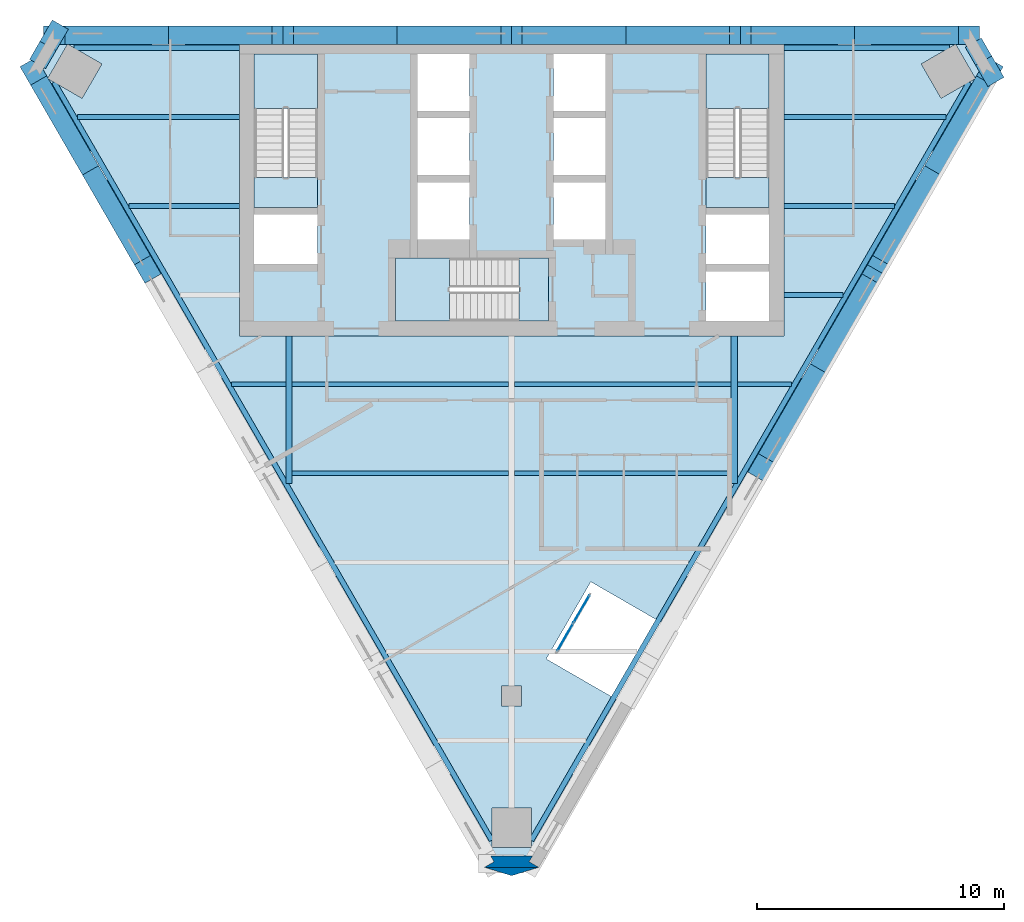
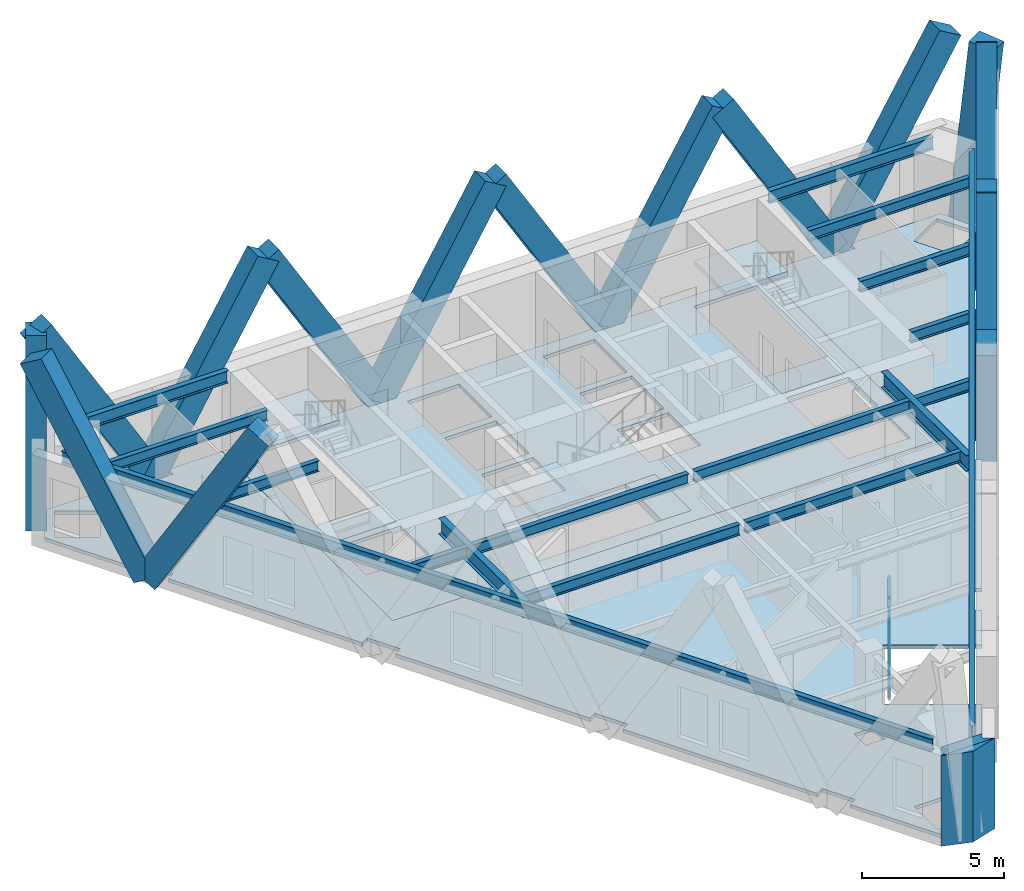
# One storey, part 3 of 9: 17 beams, 16 members, 8 slabs, 4 plates, 2 walls, 4 elements without a shape of their own.
"""IFC4 building model written with IfcOpenShell, lengths in metres."""

from ifc_helpers import new_model, si_unit, direction, frame, origin, origin_2d, place, context, subcontext, project, spatial, polyline, rectangle, i_section, outline, extrude, material, layer, layer_set, material_profile, profile_set, type_object, element, aggregate, save


model = new_model("IFC4")

# Units and contexts
model_context = context("Model", 3, precision=1e-05, world=origin(), true_north=direction((0.0, 1.0)))
body_context = subcontext(model_context, "Body", "Model", "MODEL_VIEW")
ifc_project = project(units=[si_unit("LENGTHUNIT", "METRE"), si_unit("AREAUNIT", "SQUARE_METRE"), si_unit("VOLUMEUNIT", "CUBIC_METRE"), si_unit("PLANEANGLEUNIT", "RADIAN"), si_unit("MASSUNIT", "GRAM", prefix="KILO")], contexts=[model_context])

# Site, building, storey
site_placement = place(None, origin())
site = spatial("IfcSite", under=ifc_project, at=site_placement, CompositionType="ELEMENT")
building_placement = place(site_placement, origin())
building = spatial("IfcBuilding", under=site, at=building_placement, Name="Aloe Facet Convention Tower", CompositionType="ELEMENT")
storey_placement = place(building_placement, frame((0.0, 0.0, 277.699951171875)))
storey = spatial("IfcBuildingStorey", under=building, at=storey_placement, Name="L68", CompositionType="ELEMENT", Elevation=277.699951171875)

# Beams
ifc_material_1 = material(Name="Steel S355", Category="steel")
ifc_material_profile_1 = material_profile(ifc_material_1, i_section(OverallWidth=0.19140625, OverallDepth=0.4599609375, WebThickness=0.010009765625, FlangeThickness=0.01611328125, FilletRadius=0.01025390625, at=origin_2d()), Name="UB 457x191x82")
ifc_profile_set_1 = profile_set([ifc_material_profile_1], Name="Steel S355")
beam_type_1 = type_object("IfcBeamType", Name="SF-B-UB457x191x82", PredefinedType="BEAM", material=ifc_profile_set_1)
beam_1_placement = place(storey_placement, frame((62.452392578125, 131.39990234375, 3.52001953125), z_axis=(1.0, 0.0, 0.0), x_axis=(0.0, 1.0, 0.0)))
element("IfcBeam", 1, at=beam_1_placement, inside=storey, type_object=beam_type_1, Name="Floor beam FB-Z5B-009", PredefinedType="BEAM", context=body_context, shape_type="SweptSolid", body=[
    extrude(i_section(OverallWidth=0.19140625, OverallDepth=0.4599609375, WebThickness=0.010009765625, FlangeThickness=0.01611328125, FilletRadius=0.01025390625, at=origin_2d()), origin(), (0.0, 0.0, 1.0), 6.547607421875),
])
beam_2_placement = place(storey_placement, frame((64.53076171875, 127.800048828125, 3.52001953125), z_axis=(1.0, 0.0, 0.0), x_axis=(0.0, 1.0, 0.0)))
element("IfcBeam", 2, at=beam_2_placement, inside=storey, type_object=beam_type_1, Name="Floor beam FB-Z5B-010", PredefinedType="BEAM", context=body_context, shape_type="SweptSolid", body=[
    extrude(i_section(OverallWidth=0.19140625, OverallDepth=0.4599609375, WebThickness=0.010009765625, FlangeThickness=0.01611328125, FilletRadius=0.01025390625, at=origin_2d()), origin(), (0.0, 0.0, 1.0), 4.46923828125),
])
beam_3_placement = place(storey_placement, frame((68.687744140625, 120.60009765625, 3.52001953125), z_axis=(1.0, 0.0, 0.0), x_axis=(0.0, 1.0, 0.0)))
element("IfcBeam", 3, at=beam_3_placement, inside=storey, type_object=beam_type_1, Name="Floor beam FB-Z5B-012", PredefinedType="BEAM", context=body_context, shape_type="SweptSolid", body=[
    extrude(i_section(OverallWidth=0.19140625, OverallDepth=0.4599609375, WebThickness=0.010009765625, FlangeThickness=0.01611328125, FilletRadius=0.01025390625, at=origin_2d()), origin(), (0.0, 0.0, 1.0), 2.185791015625),
])
for number, where, z_axis, x_axis, name in (
    (4, (71.12646484375, 117.0, 3.52001953125), (1.0, 0.0, 0.0), (0.0, 1.0, 0.0), "Floor beam FB-Z5B-013"),
    (5, (71.12646484375, 120.60009765625, 3.52001953125), (1.0, 0.0, 0.0), (0.0, 1.0, 0.0), "Floor beam FB-Z5B-014"),
    (6, (80.12646484375, 117.0, 3.52001953125), (1.0, 0.0, 0.0), (0.0, 1.0, 0.0), "Floor beam FB-Z5B-021"),
    (7, (80.12646484375, 120.60009765625, 3.52001953125), (1.0, 0.0, 0.0), (0.0, 1.0, 0.0), "Floor beam FB-Z5B-022"),
):
    element("IfcBeam", number, at=place(storey_placement, frame(where, z_axis=z_axis, x_axis=x_axis)), inside=storey, type_object=beam_type_1, Name=name, PredefinedType="BEAM", context=body_context, shape_type="SweptSolid", body=[
        extrude(i_section(OverallWidth=0.19140625, OverallDepth=0.4599609375, WebThickness=0.010009765625, FlangeThickness=0.01611328125, FilletRadius=0.01025390625, at=origin_2d()), origin(), (0.0, 0.0, 1.0), 8.7470703125),
    ])
beam_4_placement = place(storey_placement, frame((89.12646484375, 120.60009765625, 3.52001953125), z_axis=(1.0, 0.0, 0.0), x_axis=(0.0, 1.0, 0.0)))
element("IfcBeam", 8, at=beam_4_placement, inside=storey, type_object=beam_type_1, Name="Floor beam FB-Z5B-023", PredefinedType="BEAM", context=body_context, shape_type="SweptSolid", body=[
    extrude(i_section(OverallWidth=0.19140625, OverallDepth=0.4599609375, WebThickness=0.010009765625, FlangeThickness=0.01611328125, FilletRadius=0.01025390625, at=origin_2d()), origin(), (0.0, 0.0, 1.0), 2.185791015625),
])
beam_5_placement = place(storey_placement, frame((91.0, 124.199951171875, 3.52001953125), z_axis=(1.0, 0.0, 0.0), x_axis=(0.0, 1.0, 0.0)))
element("IfcBeam", 9, at=beam_5_placement, inside=storey, type_object=beam_type_1, Name="Floor beam FB-Z5B-024", PredefinedType="BEAM", context=body_context, shape_type="SweptSolid", body=[
    extrude(i_section(OverallWidth=0.19140625, OverallDepth=0.4599609375, WebThickness=0.010009765625, FlangeThickness=0.01611328125, FilletRadius=0.01025390625, at=origin_2d()), origin(), (0.0, 0.0, 1.0), 2.390869140625),
])
beam_6_placement = place(storey_placement, frame((91.0, 127.800048828125, 3.52001953125), z_axis=(1.0, 0.0, 0.0), x_axis=(0.0, 1.0, 0.0)))
element("IfcBeam", 10, at=beam_6_placement, inside=storey, type_object=beam_type_1, Name="Floor beam FB-Z5B-025", PredefinedType="BEAM", context=body_context, shape_type="SweptSolid", body=[
    extrude(i_section(OverallWidth=0.19140625, OverallDepth=0.4599609375, WebThickness=0.010009765625, FlangeThickness=0.01611328125, FilletRadius=0.01025390625, at=origin_2d()), origin(), (0.0, 0.0, 1.0), 4.46923828125),
])
beam_7_placement = place(storey_placement, frame((91.0, 131.39990234375, 3.52001953125), z_axis=(1.0, 0.0, 0.0), x_axis=(0.0, 1.0, 0.0)))
element("IfcBeam", 11, at=beam_7_placement, inside=storey, type_object=beam_type_1, Name="Floor beam FB-Z5B-026", PredefinedType="BEAM", context=body_context, shape_type="SweptSolid", body=[
    extrude(i_section(OverallWidth=0.19140625, OverallDepth=0.4599609375, WebThickness=0.010009765625, FlangeThickness=0.01611328125, FilletRadius=0.01025390625, at=origin_2d()), origin(), (0.0, 0.0, 1.0), 6.547607421875),
])
ifc_material_2 = material(Name="Steel S355", Category="steel")
ifc_material_profile_2 = material_profile(ifc_material_2, i_section(OverallWidth=0.209228515625, OverallDepth=0.533203125, WebThickness=0.010009765625, FlangeThickness=0.015625, FilletRadius=0.0126953125, at=origin_2d()), Name="UB 533x210x92")
ifc_profile_set_2 = profile_set([ifc_material_profile_2], Name="Steel S355")
beam_type_2 = type_object("IfcBeamType", Name="SF-B-UB533x210x92", PredefinedType="BEAM", material=ifc_profile_set_2)
beam_8_placement = place(storey_placement, frame((62.3076171875, 134.1953125, 3.483642578125), z_axis=(1.0, 0.0, 0.0), x_axis=(0.0, 1.0, 0.0)))
element("IfcBeam", 12, at=beam_8_placement, inside=storey, type_object=beam_type_2, Name="Floor beam FB-Z5B-001", PredefinedType="BEAM", context=body_context, shape_type="SweptSolid", body=[
    extrude(i_section(OverallWidth=0.209228515625, OverallDepth=0.533203125, WebThickness=0.010009765625, FlangeThickness=0.015625, FilletRadius=0.0126953125, at=origin_2d()), origin(), (0.0, 0.0, 1.0), 6.6923828125),
])
beam_9_placement = place(storey_placement, frame((79.199951171875, 102.16552734375, 3.483642578125), z_axis=(-0.499997782969, 0.866026683784, 0.0), x_axis=(-0.866026683784, -0.499997782969, 0.0)))
element("IfcBeam", 13, at=beam_9_placement, inside=storey, type_object=beam_type_2, Name="Floor beam FB-Z5B-002", PredefinedType="BEAM", context=body_context, shape_type="SweptSolid", body=[
    extrude(i_section(OverallWidth=0.209228515625, OverallDepth=0.533203125, WebThickness=0.010009765625, FlangeThickness=0.015625, FilletRadius=0.0126953125, at=origin_2d()), origin(), (0.0, 0.0, 1.0), 35.385009765625),
])
beam_10_placement = place(storey_placement, frame((91.0, 134.1953125, 3.483642578125), z_axis=(1.0, 0.0, 0.0), x_axis=(0.0, 1.0, 0.0)))
element("IfcBeam", 14, at=beam_10_placement, inside=storey, type_object=beam_type_2, Name="Floor beam FB-Z5B-003", PredefinedType="BEAM", context=body_context, shape_type="SweptSolid", body=[
    extrude(i_section(OverallWidth=0.209228515625, OverallDepth=0.533203125, WebThickness=0.010009765625, FlangeThickness=0.015625, FilletRadius=0.0126953125, at=origin_2d()), origin(), (0.0, 0.0, 1.0), 6.6923828125),
])
beam_11_placement = place(storey_placement, frame((98.492431640625, 132.809814453125, 3.483642578125), z_axis=(-0.499997782969, -0.866026683784, 0.0), x_axis=(0.866026683784, -0.499997782969, 0.0)))
element("IfcBeam", 15, at=beam_11_placement, inside=storey, type_object=beam_type_2, Name="Floor beam FB-Z5B-004", PredefinedType="BEAM", context=body_context, shape_type="SweptSolid", body=[
    extrude(i_section(OverallWidth=0.209228515625, OverallDepth=0.533203125, WebThickness=0.010009765625, FlangeThickness=0.015625, FilletRadius=0.0126953125, at=origin_2d()), origin(), (0.0, 0.0, 1.0), 35.385009765625),
])
ifc_material_3 = material(Name="Steel S355", Category="steel")
ifc_material_profile_3 = material_profile(ifc_material_3, i_section(OverallWidth=0.2529296875, OverallDepth=0.677978515625, WebThickness=0.01171875, FlangeThickness=0.01611328125, FilletRadius=0.01513671875, at=origin_2d()), Name="UB 686x254x125")
ifc_profile_set_3 = profile_set([ifc_material_profile_3], Name="Steel S355")
beam_type_3 = type_object("IfcBeamType", Name="SF-B-UB686x254x125", PredefinedType="BEAM", material=ifc_profile_set_3)
for number, where, z_axis, x_axis, name in (
    (16, (71.0, 122.550048828125, 3.4111328125), (0.0, -1.0, 0.0), (1.0, 0.0, 0.0), "Floor beam FB-Z5B-005"),
    (17, (89.0, 122.550048828125, 3.4111328125), (0.0, -1.0, 0.0), (1.0, 0.0, 0.0), "Floor beam FB-Z5B-008"),
):
    element("IfcBeam", number, at=place(storey_placement, frame(where, z_axis=z_axis, x_axis=x_axis)), inside=storey, type_object=beam_type_3, Name=name, PredefinedType="BEAM", context=body_context, shape_type="SweptSolid", body=[
        extrude(i_section(OverallWidth=0.2529296875, OverallDepth=0.677978515625, WebThickness=0.01171875, FlangeThickness=0.01611328125, FilletRadius=0.01513671875, at=origin_2d()), origin(), (0.0, 0.0, 1.0), 5.96240234375),
    ])

# Members
ifc_material_4 = material(Name="Concrete C60/75, bronze oxide finish", Category="concrete")
ifc_material_profile_4 = material_profile(ifc_material_4, rectangle(XDim=0.75, YDim=1.0, at=origin_2d()), Name="STW-LM")
ifc_profile_set_4 = profile_set([ifc_material_profile_4], Name="Concrete C60/75, bronze oxide finish")
member_type = type_object("IfcMemberType", Name="STW-LM", PredefinedType="BRACE", material=ifc_profile_set_4)
for number, where, z_axis, x_axis, name in (
    (18, (93.864501953125, 134.699951171875, 0.0), (0.50974776773, 0.0, 0.860323900223), (0.0, 1.0, 0.0), "Lattice member LM-Z5-F1-R5-01"),
    (19, (93.864501953125, 134.699951171875, 0.0), (-0.509727836338, 0.0, 0.860335709396), (0.0, -1.0, 0.0), "Lattice member LM-Z5-F1-R5-02"),
    (20, (84.62158203125, 134.699951171875, 0.0), (0.50974776773, 0.0, 0.860323900223), (0.0, 1.0, 0.0), "Lattice member LM-Z5-F1-R5-03"),
    (21, (84.62158203125, 134.699951171875, 0.0), (-0.50974776773, 0.0, 0.860323900223), (0.0, -1.0, 0.0), "Lattice member LM-Z5-F1-R5-04"),
    (22, (75.37841796875, 134.699951171875, 0.0), (0.50974776773, 0.0, 0.860323900223), (0.0, 1.0, 0.0), "Lattice member LM-Z5-F1-R5-05"),
    (23, (75.37841796875, 134.699951171875, 0.0), (-0.50974776773, 0.0, 0.860323900223), (0.0, -1.0, 0.0), "Lattice member LM-Z5-F1-R5-06"),
    (24, (66.135498046875, 134.699951171875, 0.0), (0.509727836338, 0.0, 0.860335709396), (0.0, 1.0, 0.0), "Lattice member LM-Z5-F1-R5-07"),
    (25, (66.135498046875, 134.699951171875, 0.0), (-0.50974776773, 0.0, 0.860323900223), (0.0, -1.0, 0.0), "Lattice member LM-Z5-F1-R5-08"),
    (26, (62.984375, 129.242431640625, 0.0), (-0.254876492185, 0.441435851704, 0.860332704575), (-0.866014033677, -0.500019693086, 0.0), "Lattice member LM-Z5-F2-R5-01"),
    (27, (62.984375, 129.242431640625, 0.0), (0.254873462398, -0.441457532229, 0.860322477565), (0.866027240882, 0.49999681804, 0.0), "Lattice member LM-Z5-F2-R5-02"),
    (28, (92.39404296875, 121.237548828125, 0.0), (-0.254876492185, -0.441435851704, 0.860332704575), (0.866014033677, -0.500019693086, 0.0), "Lattice member LM-Z5-F3-R5-05"),
    (29, (92.39404296875, 121.237548828125, 0.0), (0.254873462398, 0.441457532229, 0.860322477565), (-0.866027240882, 0.49999681804, 0.0), "Lattice member LM-Z5-F3-R5-06"),
    (30, (97.015625, 129.242431640625, 0.0), (-0.254873462398, -0.441457532229, 0.860322477565), (0.866027240882, -0.49999681804, 0.0), "Lattice member LM-Z5-F3-R5-07"),
    (31, (97.015625, 129.242431640625, 0.0), (0.254876492185, 0.441435851704, 0.860332704575), (-0.866014033677, 0.500019693086, 0.0), "Lattice member LM-Z5-F3-R5-08"),
):
    element("IfcMember", number, at=place(storey_placement, frame(where, z_axis=z_axis, x_axis=x_axis)), inside=storey, type_object=member_type, Name=name, PredefinedType="BRACE", context=body_context, shape_type="SweptSolid", body=[
        extrude(rectangle(XDim=0.75, YDim=1.0, at=origin_2d()), origin(), (0.0, 0.0, 1.0), 9.06640625),
    ])
for number, where, z_axis, x_axis, name in (
    (32, (99.326416015625, 133.24462890625, 7.800048828125), (-0.053557165647, 0.092768106214, -0.994246301717), (-0.866035612436, -0.49998231768, 0.0), "Lattice member LM-Z5-F6-R4-02"),
    (33, (61.513916015625, 134.699951171875, 7.800048828125), (-0.053557320237, -0.0927372541, -0.994249171562), (0.865962960534, -0.500108139288, 0.0), "Lattice member LM-Z5-F4-R4-02"),
):
    element("IfcMember", number, at=place(storey_placement, frame(where, z_axis=z_axis, x_axis=x_axis)), inside=storey, type_object=member_type, Name=name, PredefinedType="BRACE", context=body_context, shape_type="SweptSolid", body=[
        extrude(rectangle(XDim=0.75, YDim=1.0, at=origin_2d()), origin(), (0.0, 0.0, 1.0), 7.84521484375),
    ])

# Slabs
ifc_material_5 = material(Name="Concrete C50/60", Category="concrete")
ifc_layer_1 = layer(ifc_material_5, 0.14990234375)
ifc_layer_set_1 = layer_set([ifc_layer_1], Name="CR-S-FLOOR150-C5060")
slab_type_1 = type_object("IfcSlabType", Name="CR-S-FLOOR150-C5060", PredefinedType="FLOOR", material=ifc_layer_set_1)
slab_1_placement = place(storey_placement, frame((0.0, 0.0, -0.14990234375)))
element("IfcSlab", 34, at=slab_1_placement, inside=storey, type_object=slab_type_1, Name="Core floor L68", PredefinedType="FLOOR", context=body_context, shape_type="SweptSolid", body=[
    extrude(outline(polyline([(71.85009765625, 134.550048828125), (72.75, 134.550048828125), (75.60009765625, 134.550048828125), (76.5, 134.550048828125), (78.0, 134.550048828125), (78.89990234375, 134.550048828125), (81.10009765625, 134.550048828125), (82.0, 134.550048828125), (83.5, 134.550048828125), (84.39990234375, 134.550048828125), (87.25, 134.550048828125), (88.14990234375, 134.550048828125), (91.0, 134.550048828125), (91.0, 128.050048828125), (91.0, 127.14990234375), (91.0, 125.75), (91.0, 124.85009765625), (91.0, 122.550048828125), (88.14990234375, 122.550048828125), (87.25, 122.550048828125), (85.300048828125, 122.550048828125), (84.39990234375, 122.550048828125), (82.10009765625, 122.550048828125), (81.199951171875, 122.550048828125), (75.60009765625, 122.550048828125), (74.699951171875, 122.550048828125), (72.75, 122.550048828125), (71.85009765625, 122.550048828125), (69.0, 122.550048828125), (69.0, 124.85009765625), (69.0, 125.75), (69.0, 127.14990234375), (69.0, 128.050048828125), (69.0, 134.550048828125), (71.85009765625, 134.550048828125)]), holes=[polyline([(80.298828125, 123.14990234375), (81.5, 123.14990234375), (81.5, 125.699951171875), (80.298828125, 125.699951171875), (75.300048828125, 125.699951171875), (75.300048828125, 123.14990234375), (80.298828125, 123.14990234375)]), polyline([(69.60009765625, 125.449951171875), (72.14990234375, 125.449951171875), (72.14990234375, 127.449951171875), (69.60009765625, 127.449951171875), (69.60009765625, 125.449951171875)]), polyline([(76.199951171875, 126.449951171875), (78.300048828125, 126.449951171875), (78.300048828125, 128.75), (76.199951171875, 128.75), (76.199951171875, 126.449951171875)]), polyline([(78.300048828125, 129.050048828125), (78.300048828125, 131.35009765625), (76.199951171875, 131.35009765625), (76.199951171875, 129.050048828125), (78.300048828125, 129.050048828125)]), polyline([(69.60009765625, 133.949951171875), (69.60009765625, 128.951171875), (69.60009765625, 127.75), (72.14990234375, 127.75), (72.14990234375, 128.951171875), (72.14990234375, 133.949951171875), (69.60009765625, 133.949951171875)]), polyline([(76.199951171875, 131.64990234375), (78.300048828125, 131.64990234375), (78.300048828125, 133.949951171875), (76.199951171875, 133.949951171875), (76.199951171875, 131.64990234375)]), polyline([(90.39990234375, 123.14990234375), (90.39990234375, 125.14990234375), (87.85009765625, 125.14990234375), (87.85009765625, 123.14990234375), (90.39990234375, 123.14990234375)]), polyline([(87.85009765625, 125.449951171875), (90.39990234375, 125.449951171875), (90.39990234375, 127.449951171875), (87.85009765625, 127.449951171875), (87.85009765625, 125.449951171875)]), polyline([(81.699951171875, 126.449951171875), (83.800048828125, 126.449951171875), (83.800048828125, 128.75), (81.699951171875, 128.75), (81.699951171875, 126.449951171875)]), polyline([(83.800048828125, 129.050048828125), (83.800048828125, 131.35009765625), (81.699951171875, 131.35009765625), (81.699951171875, 129.050048828125), (83.800048828125, 129.050048828125)]), polyline([(87.85009765625, 133.949951171875), (87.85009765625, 128.951171875), (87.85009765625, 127.75), (90.39990234375, 127.75), (90.39990234375, 128.951171875), (90.39990234375, 133.949951171875), (87.85009765625, 133.949951171875)]), polyline([(81.699951171875, 131.64990234375), (83.800048828125, 131.64990234375), (83.800048828125, 133.949951171875), (81.699951171875, 133.949951171875), (81.699951171875, 131.64990234375)])]), origin(), (0.0, 0.0, 1.0), 0.14990234375),
])
ifc_material_6 = material(Name="Concrete C50/60", Category="concrete")
ifc_layer_2 = layer(ifc_material_6, 0.300048828125)
ifc_layer_set_2 = layer_set([ifc_layer_2], Name="CR-S-FLOOR300-C5060")
slab_type_2 = type_object("IfcSlabType", Name="CR-S-FLOOR300-C5060", PredefinedType="FLOOR", material=ifc_layer_set_2)
slab_2_placement = place(storey_placement, frame((0.0, 0.0, -0.300048828125)))
element("IfcSlab", 35, at=slab_2_placement, inside=storey, type_object=slab_type_2, Name="Stair landing floor L68", PredefinedType="FLOOR", context=body_context, shape_type="SweptSolid", body=[
    extrude(outline(polyline([(72.14990234375, 127.75), (72.14990234375, 128.951171875), (69.60009765625, 128.951171875), (69.60009765625, 127.75), (72.14990234375, 127.75)])), origin(), (0.0, 0.0, 1.0), 0.300048828125),
])
slab_3_placement = place(storey_placement, frame((0.0, 0.0, -0.300048828125)))
element("IfcSlab", 36, at=slab_3_placement, inside=storey, type_object=slab_type_2, Name="Stair landing floor L68", PredefinedType="FLOOR", context=body_context, shape_type="SweptSolid", body=[
    extrude(outline(polyline([(90.39990234375, 127.75), (90.39990234375, 128.951171875), (87.85009765625, 128.951171875), (87.85009765625, 127.75), (90.39990234375, 127.75)])), origin(), (0.0, 0.0, 1.0), 0.300048828125),
])
slab_4_placement = place(storey_placement, frame((0.0, 0.0, -0.300048828125)))
element("IfcSlab", 37, at=slab_4_placement, inside=storey, type_object=slab_type_2, Name="Stair landing floor L68", PredefinedType="FLOOR", context=body_context, shape_type="SweptSolid", body=[
    extrude(outline(polyline([(81.5, 125.699951171875), (80.298828125, 125.699951171875), (80.298828125, 123.14990234375), (81.5, 123.14990234375), (81.5, 125.699951171875)])), origin(), (0.0, 0.0, 1.0), 0.300048828125),
])

# Stair, slab
ifc_material_7 = material(Name="Concrete C50/60", Category="concrete")
stair_type = type_object("IfcStairType", Name="CR-ST-22R", PredefinedType="HALF_TURN_STAIR", material=ifc_material_7)
stair_1_placement = place(storey_placement, origin())
stair_1 = element("IfcStair", 38, at=stair_1_placement, inside=storey, type_object=stair_type, Name="L68 Protected exit stair ST1", PredefinedType="HALF_TURN_STAIR")
ifc_material_8 = material(Name="Concrete C50/60", Category="concrete")
ifc_layer_3 = layer(ifc_material_8, 0.199951171875)
ifc_layer_set_3 = layer_set([ifc_layer_3], Name="CR-SL-LANDING")
slab_type_3 = type_object("IfcSlabType", Name="CR-SL-LANDING", PredefinedType="LANDING", material=ifc_layer_set_3)
slab_5_placement = place(storey_placement, frame((0.0, 0.0, 1.75)))
slab_5 = element("IfcSlab", 39, at=slab_5_placement, type_object=slab_type_3, Name="ST1 landing 1", PredefinedType="LANDING", context=body_context, shape_type="SweptSolid", body=[
    extrude(outline(polyline([(72.14990234375, 131.75), (72.14990234375, 133.949951171875), (69.60009765625, 133.949951171875), (69.60009765625, 131.75), (72.14990234375, 131.75)])), origin(), (0.0, 0.0, 1.0), 0.199951171875),
])
aggregate(stair_1, [slab_5])

stair_2_placement = place(storey_placement, origin())
stair_2 = element("IfcStair", 40, at=stair_2_placement, inside=storey, type_object=stair_type, Name="L68 Protected exit stair ST2", PredefinedType="HALF_TURN_STAIR")
slab_6_placement = place(storey_placement, frame((0.0, 0.0, 1.75)))
slab_6 = element("IfcSlab", 41, at=slab_6_placement, type_object=slab_type_3, Name="ST2 landing 1", PredefinedType="LANDING", context=body_context, shape_type="SweptSolid", body=[
    extrude(outline(polyline([(90.39990234375, 131.75), (90.39990234375, 133.949951171875), (87.85009765625, 133.949951171875), (87.85009765625, 131.75), (90.39990234375, 131.75)])), origin(), (0.0, 0.0, 1.0), 0.199951171875),
])
aggregate(stair_2, [slab_6])

stair_3_placement = place(storey_placement, origin())
stair_3 = element("IfcStair", 42, at=stair_3_placement, inside=storey, type_object=stair_type, Name="L68 Protected exit stair ST3", PredefinedType="HALF_TURN_STAIR")
slab_7_placement = place(storey_placement, frame((0.0, 0.0, 1.75)))
slab_7 = element("IfcSlab", 43, at=slab_7_placement, type_object=slab_type_3, Name="ST3 landing 1", PredefinedType="LANDING", context=body_context, shape_type="SweptSolid", body=[
    extrude(outline(polyline([(77.5, 125.699951171875), (75.300048828125, 125.699951171875), (75.300048828125, 123.14990234375), (77.5, 123.14990234375), (77.5, 125.699951171875)])), origin(), (0.0, 0.0, 1.0), 0.199951171875),
])
aggregate(stair_3, [slab_7])

# Curtain wall, plates
ifc_material_9 = material(Name="Aluminium, anodised", Category="aluminium")
curtain_wall_type = type_object("IfcCurtainWallType", Name="EV-CW-TERRACE", PredefinedType="USERDEFINED", material=ifc_material_9)
curtain_wall_placement = place(storey_placement, origin())
curtain_wall = element("IfcCurtainWall", 44, at=curtain_wall_placement, inside=storey, type_object=curtain_wall_type, Name="CW-T15", ObjectType="TERRACE BACK GLAZING", PredefinedType="USERDEFINED")
ifc_material_10 = material(Name="Clear double glazing", Category="glass")
ifc_layer_4 = layer(ifc_material_10, 0.028076171875)
ifc_layer_set_4 = layer_set([ifc_layer_4], Name="EV-PANEL-TERRACE")
plate_type = type_object("IfcPlateType", Name="EV-PANEL-TERRACE", PredefinedType="CURTAIN_PANEL", material=ifc_layer_set_4)
plate_1_placement = place(storey_placement, frame((82.16552734375, 110.371337890625, -0.08984375), z_axis=(0.0, 0.0, 1.0), x_axis=(0.499999999879, 0.866025403854, 0.0)))
plate_1 = element("IfcPlate", 45, at=plate_1_placement, type_object=plate_type, Name="CW-T15 panel 1.1", PredefinedType="CURTAIN_PANEL", context=body_context, shape_type="SweptSolid", body=[
    extrude(rectangle(XDim=1.260009765625, YDim=0.028076171875, at=origin_2d()), origin(), (0.0, 0.0, 1.0), 1.6298828125),
])
plate_2_placement = place(storey_placement, frame((82.16552734375, 110.371337890625, 1.60009765625), z_axis=(0.0, 0.0, 1.0), x_axis=(0.499999999879, 0.866025403854, 0.0)))
plate_2 = element("IfcPlate", 46, at=plate_2_placement, type_object=plate_type, Name="CW-T15 panel 1.2", PredefinedType="CURTAIN_PANEL", context=body_context, shape_type="SweptSolid", body=[
    extrude(rectangle(XDim=1.260009765625, YDim=0.028076171875, at=origin_2d()), origin(), (0.0, 0.0, 1.0), 1.6298828125),
])
plate_3_placement = place(storey_placement, frame((82.82568359375, 111.5146484375, -0.08984375), z_axis=(0.0, 0.0, 1.0), x_axis=(0.499999999879, 0.866025403854, 0.0)))
plate_3 = element("IfcPlate", 47, at=plate_3_placement, type_object=plate_type, Name="CW-T15 panel 2.1", PredefinedType="CURTAIN_PANEL", context=body_context, shape_type="SweptSolid", body=[
    extrude(rectangle(XDim=1.260009765625, YDim=0.028076171875, at=origin_2d()), origin(), (0.0, 0.0, 1.0), 1.6298828125),
])
plate_4_placement = place(storey_placement, frame((82.82568359375, 111.5146484375, 1.60009765625), z_axis=(0.0, 0.0, 1.0), x_axis=(0.499999999879, 0.866025403854, 0.0)))
plate_4 = element("IfcPlate", 48, at=plate_4_placement, type_object=plate_type, Name="CW-T15 panel 2.2", PredefinedType="CURTAIN_PANEL", context=body_context, shape_type="SweptSolid", body=[
    extrude(rectangle(XDim=1.260009765625, YDim=0.028076171875, at=origin_2d()), origin(), (0.0, 0.0, 1.0), 1.6298828125),
])
aggregate(curtain_wall, [plate_1, plate_2, plate_3, plate_4])

# Slab
ifc_material_11 = material(Name="Concrete C35/45", Category="concrete")
ifc_layer_5 = layer(ifc_material_11, 0.14990234375)
ifc_layer_set_5 = layer_set([ifc_layer_5], Name="SF-FS-150")
slab_type_4 = type_object("IfcSlabType", Name="SF-FS-150", PredefinedType="FLOOR", material=ifc_layer_set_5)
slab_8_placement = place(storey_placement, frame((0.0, 0.0, -0.14990234375)))
element("IfcSlab", 49, at=slab_8_placement, inside=storey, type_object=slab_type_4, Name="Floor slab L68-1", PredefinedType="FLOOR", context=body_context, shape_type="SweptSolid", body=[
    extrude(outline(polyline([(83.356201171875, 105.88330078125), (83.052978515625, 106.058349609375), (83.008544921875, 105.9814453125), (83.00048828125, 105.96728515625), (82.844482421875, 105.697509765625), (82.3828125, 104.89794921875), (82.68603515625, 104.722900390625), (80.840087890625, 101.52587890625), (79.159912109375, 101.52587890625), (77.31396484375, 104.722900390625), (77.6171875, 104.89794921875), (77.155517578125, 105.697509765625), (77.039306640625, 105.898681640625), (76.991455078125, 105.9814453125), (76.947021484375, 106.058349609375), (76.643798828125, 105.88330078125), (72.6923828125, 112.7275390625), (72.99560546875, 112.902587890625), (72.9033203125, 113.0625), (72.660400390625, 113.48291015625), (72.369873046875, 113.986083984375), (72.325439453125, 114.063232421875), (72.0224609375, 113.88818359375), (68.07080078125, 120.732421875), (68.3740234375, 120.907470703125), (68.32958984375, 120.984375), (68.32958984375, 120.984375), (68.065185546875, 121.4423828125), (67.912353515625, 121.706787109375), (67.796142578125, 121.908203125), (67.748291015625, 121.990966796875), (67.703857421875, 122.06787109375), (67.40087890625, 121.892822265625), (63.449462890625, 128.737060546875), (63.75244140625, 128.912109375), (63.5439453125, 129.273193359375), (63.08251953125, 130.07275390625), (62.779296875, 129.897705078125), (60.93359375, 133.0947265625), (61.773681640625, 134.550048828125), (65.46533203125, 134.550048828125), (65.46533203125, 134.199951171875), (65.55419921875, 134.199951171875), (65.882080078125, 134.199951171875), (66.135498046875, 134.199951171875), (66.388427734375, 134.199951171875), (66.716552734375, 134.199951171875), (66.805419921875, 134.199951171875), (66.805419921875, 134.550048828125), (69.0, 134.550048828125), (69.0, 128.050048828125), (69.0, 127.14990234375), (69.0, 125.75), (69.0, 124.85009765625), (69.0, 122.550048828125), (71.85009765625, 122.550048828125), (72.75, 122.550048828125), (74.699951171875, 122.550048828125), (75.60009765625, 122.550048828125), (81.199951171875, 122.550048828125), (82.10009765625, 122.550048828125), (84.39990234375, 122.550048828125), (85.300048828125, 122.550048828125), (87.25, 122.550048828125), (88.14990234375, 122.550048828125), (91.0, 122.550048828125), (91.0, 124.85009765625), (91.0, 125.75), (91.0, 127.14990234375), (91.0, 128.050048828125), (91.0, 134.550048828125), (93.194580078125, 134.550048828125), (93.194580078125, 134.199951171875), (93.283447265625, 134.199951171875), (93.611572265625, 134.199951171875), (93.864501953125, 134.199951171875), (94.117919921875, 134.199951171875), (94.44580078125, 134.199951171875), (94.53466796875, 134.199951171875), (94.53466796875, 134.550048828125), (98.226318359375, 134.550048828125), (99.06640625, 133.0947265625), (97.220703125, 129.897705078125), (96.91748046875, 130.07275390625), (96.708984375, 129.711669921875), (96.708984375, 129.711669921875), (96.24755859375, 128.912109375), (96.550537109375, 128.737060546875), (92.59912109375, 121.892822265625), (92.296142578125, 122.06787109375), (92.251708984375, 121.990966796875), (91.9609375, 121.487548828125), (91.67041015625, 120.984375), (91.6259765625, 120.907470703125), (91.92919921875, 120.732421875), (87.9775390625, 113.88818359375), (87.674560546875, 114.063232421875), (87.630126953125, 113.986083984375), (87.6220703125, 113.97216796875), (87.466064453125, 113.7021484375), (87.00439453125, 112.902587890625), (87.3076171875, 112.7275390625), (86.231689453125, 110.864501953125), (83.20068359375, 112.614501953125), (81.400634765625, 109.49658203125), (84.431884765625, 107.74658203125), (83.356201171875, 105.88330078125)]), holes=[polyline([(63.4423828125, 133.540283203125), (62.056640625, 134.340087890625), (61.256591796875, 132.95458984375), (62.642333984375, 132.154541015625), (63.4423828125, 133.540283203125)]), polyline([(79.199951171875, 103.475830078125), (79.199951171875, 101.875732421875), (80.800048828125, 101.875732421875), (80.800048828125, 103.475830078125), (79.199951171875, 103.475830078125)]), polyline([(79.60009765625, 107.60009765625), (80.39990234375, 107.60009765625), (80.39990234375, 108.39990234375), (79.60009765625, 108.39990234375), (79.60009765625, 107.60009765625)]), polyline([(97.357666015625, 132.154541015625), (98.743408203125, 132.95458984375), (97.943359375, 134.340087890625), (96.5576171875, 133.540283203125), (97.357666015625, 132.154541015625)])]), origin(), (0.0, 0.0, 1.0), 0.14990234375),
])

# Walls
ifc_material_12 = material(Name="Precast concrete C40/50", Category="concrete")
ifc_layer_6 = layer(ifc_material_12, 0.449951171875)
ifc_layer_set_6 = layer_set([ifc_layer_6], Name="EV-WALL-PIER")
wall_type_1 = type_object("IfcWallType", Name="EV-WALL-PIER", PredefinedType="SOLIDWALL", material=ifc_layer_set_6)
wall_1_placement = place(storey_placement, frame((0.0, 0.0, -0.14990234375)))
element("IfcWall", 50, at=wall_1_placement, inside=storey, type_object=wall_type_1, Name="EP-L68-B", PredefinedType="SOLIDWALL", context=body_context, shape_type="SweptSolid", body=[
    extrude(outline(polyline([(78.89990234375, 101.07568359375), (79.289794921875, 101.30078125), (79.159912109375, 101.52587890625), (80.840087890625, 101.52587890625), (80.710205078125, 101.30078125), (81.10009765625, 101.07568359375), (78.89990234375, 101.07568359375)])), origin(), (0.0, 0.0, 1.0), 3.89990234375),
])
ifc_material_13 = material(Name="Precast concrete C40/50", Category="concrete")
ifc_layer_7 = layer(ifc_material_13, 3.947998046875)
ifc_layer_set_7 = layer_set([ifc_layer_7], Name="EV-WALL-SPINE")
wall_type_2 = type_object("IfcWallType", Name="EV-WALL-SPINE", PredefinedType="SOLIDWALL", material=ifc_layer_set_7)
wall_2_placement = place(storey_placement, frame((0.0, 0.0, -0.14990234375)))
element("IfcWall", 51, at=wall_2_placement, inside=storey, type_object=wall_type_2, Name="SP-S-L68", PredefinedType="SOLIDWALL", context=body_context, shape_type="SweptSolid", body=[
    extrude(outline(polyline([(78.89990234375, 101.07568359375), (80.0, 100.735107421875), (81.10009765625, 101.07568359375), (78.89990234375, 101.07568359375)])), origin(), (0.0, 0.0, 1.0), 3.89990234375),
])

save(model, "model.ifc")
